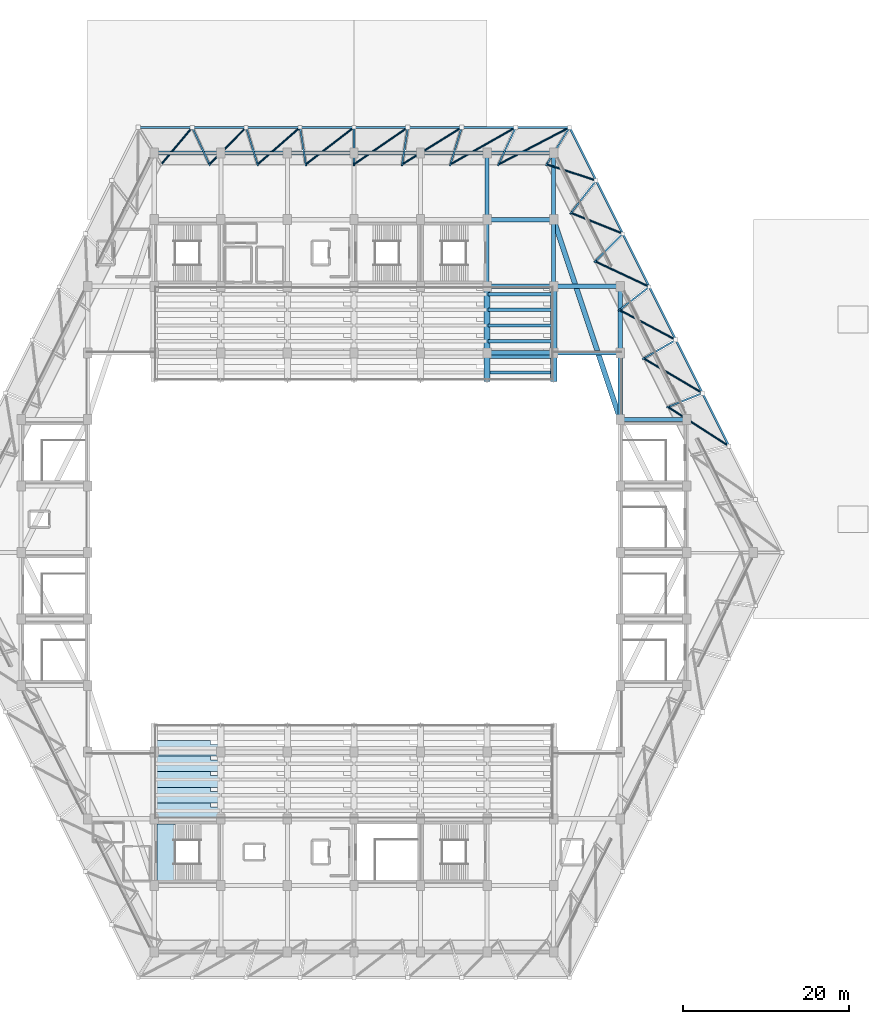
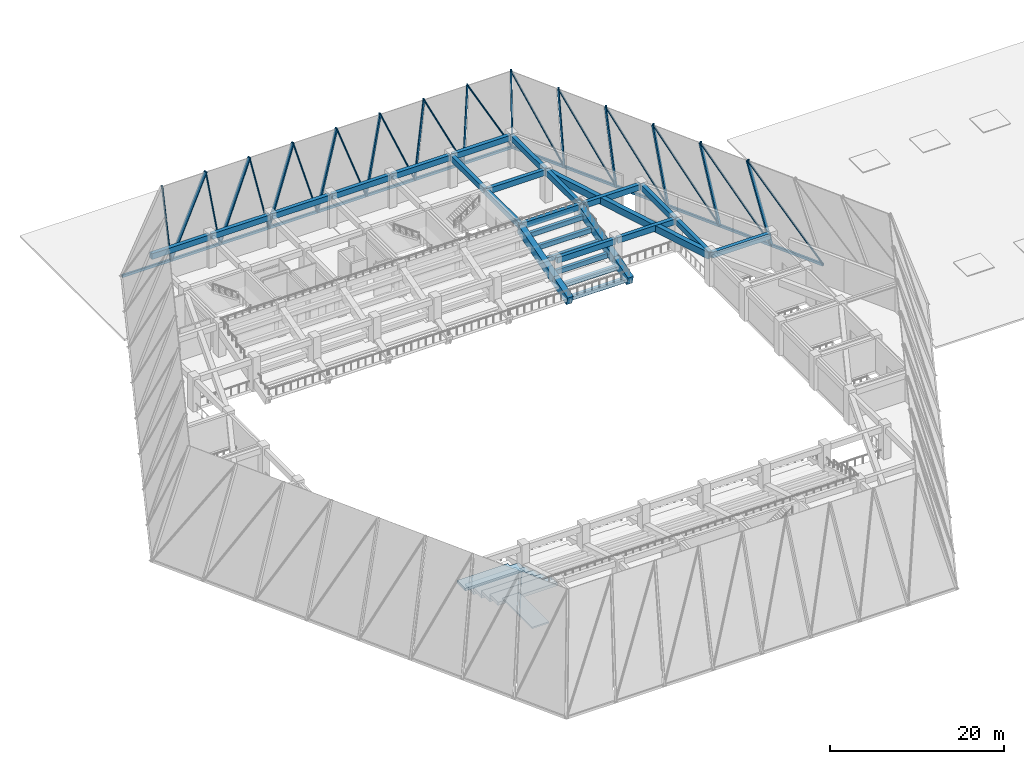
# One storey, part 4 of 24: 41 members, 29 beams, 6 slabs, 1 element without a shape of its own.
"""IFC4 building model written with IfcOpenShell, lengths in metres."""

from ifc_helpers import new_model, si_unit, direction, frame, origin, origin_2d, place, context, subcontext, project, spatial, polyline, rectangle, hollow_rectangle, hollow_circle, outline, extrude, material, layer, layer_set, material_profile, profile_set, type_object, element, aggregate, save


model = new_model("IFC4")

# Units and contexts
model_context = context("Model", 3, precision=1e-05, world=origin(), true_north=direction((0.0, 1.0)))
body_context = subcontext(model_context, "Body", "Model", "MODEL_VIEW")
ifc_project = project(units=[si_unit("LENGTHUNIT", "METRE"), si_unit("AREAUNIT", "SQUARE_METRE"), si_unit("VOLUMEUNIT", "CUBIC_METRE"), si_unit("PLANEANGLEUNIT", "RADIAN"), si_unit("MASSUNIT", "GRAM", prefix="KILO")], contexts=[model_context])

# Site, building, storey
site_placement = place(None, origin())
site = spatial("IfcSite", under=ifc_project, at=site_placement, CompositionType="ELEMENT")
building_placement = place(site_placement, origin())
building = spatial("IfcBuilding", under=site, at=building_placement, Name="Tazarka Park Arena", CompositionType="ELEMENT")
storey_placement = place(building_placement, frame((0.0, 0.0, 15.0)))
storey = spatial("IfcBuildingStorey", under=building, at=storey_placement, Name="L03", CompositionType="ELEMENT", Elevation=15.0)

# Beams
ifc_material_1 = material(Name="Concrete C40/50", Category="concrete")
ifc_material_profile_1 = material_profile(ifc_material_1, rectangle(XDim=0.5, YDim=0.800048828125, at=origin_2d()), Name="Concrete C40/50")
ifc_profile_set_1 = profile_set([ifc_material_profile_1], Name="Concrete C40/50")
beam_type_1 = type_object("IfcBeamType", Name="BM-B-02", PredefinedType="BEAM", material=ifc_profile_set_1)
for number, where, z_axis, x_axis, name in (
    (1, (104.1201171875, 96.0, 4.02001953125), (1.0, 0.0, 0.0), (0.0, 1.0, 0.0), "GXM-L03-13-12"),
    (2, (104.0, 96.1201171875, 4.02001953125), (0.0, 1.0, 0.0), (-1.0, 0.0, 0.0), "GYM-L03-13-12"),
    (3, (104.1201171875, 104.0, 4.02001953125), (1.0, 0.0, 0.0), (0.0, 1.0, 0.0), "GXM-L03-13-13"),
    (4, (104.0, 104.1201171875, 4.02001953125), (0.0, 1.0, 0.0), (-1.0, 0.0, 0.0), "GYM-L03-13-13"),
    (5, (112.1201171875, 96.0, 4.02001953125), (1.0, 0.0, 0.0), (0.0, 1.0, 0.0), "GXM-L03-14-12"),
    (6, (112.0, 96.1201171875, 4.02001953125), (0.0, 1.0, 0.0), (-1.0, 0.0, 0.0), "GYM-L03-14-12"),
    (7, (120.1201171875, 80.0, 4.02001953125), (1.0, 0.0, 0.0), (0.0, 1.0, 0.0), "GXM-L03-15-10"),
):
    element("IfcBeam", number, at=place(storey_placement, frame(where, z_axis=z_axis, x_axis=x_axis)), inside=storey, type_object=beam_type_1, Name=name, PredefinedType="BEAM", context=body_context, shape_type="SweptSolid", body=[
        extrude(rectangle(XDim=0.5, YDim=0.800048828125, at=origin_2d()), origin(), (0.0, 0.0, 1.0), 7.759765625),
    ])
ifc_material_2 = material(Name="Precast concrete C40/50", Category="concrete")
ifc_material_profile_2 = material_profile(ifc_material_2, rectangle(XDim=0.75, YDim=1.199951171875, at=origin_2d()), Name="Precast concrete C40/50")
ifc_profile_set_2 = profile_set([ifc_material_profile_2], Name="Precast concrete C40/50")
beam_type_2 = type_object("IfcBeamType", Name="BM-RK-02", PredefinedType="BEAM", material=ifc_profile_set_2)
beam_1_placement = place(storey_placement, frame((104.0, 88.0, 1.300048828125), z_axis=(0.0, 0.959465685015, 0.281825476632), x_axis=(-1.0, 0.0, 0.0)))
element("IfcBeam", 8, at=beam_1_placement, inside=storey, type_object=beam_type_2, Name="RAKER RK-02-13B", PredefinedType="BEAM", context=body_context, shape_type="SweptSolid", body=[
    extrude(rectangle(XDim=0.75, YDim=1.199951171875, at=origin_2d()), origin(), (0.0, 0.0, 1.0), 8.337890625),
])
beam_2_placement = place(storey_placement, frame((104.0, 84.699951171875, 0.33056640625), z_axis=(0.0, 0.959453616174, 0.281866561354), x_axis=(-1.0, 0.0, 0.0)))
element("IfcBeam", 9, at=beam_2_placement, inside=storey, type_object=beam_type_2, Name="RAKER RK-02-13C", PredefinedType="BEAM", context=body_context, shape_type="SweptSolid", body=[
    extrude(rectangle(XDim=0.75, YDim=1.199951171875, at=origin_2d()), origin(), (0.0, 0.0, 1.0), 3.439453125),
])
beam_3_placement = place(storey_placement, frame((112.0, 88.0, 1.300048828125), z_axis=(0.0, 0.959465685015, 0.281825476632), x_axis=(-1.0, 0.0, 0.0)))
element("IfcBeam", 10, at=beam_3_placement, inside=storey, type_object=beam_type_2, Name="RAKER RK-02-14B", PredefinedType="BEAM", context=body_context, shape_type="SweptSolid", body=[
    extrude(rectangle(XDim=0.75, YDim=1.199951171875, at=origin_2d()), origin(), (0.0, 0.0, 1.0), 8.337890625),
])
beam_4_placement = place(storey_placement, frame((112.0, 84.699951171875, 0.33056640625), z_axis=(0.0, 0.959453616174, 0.281866561354), x_axis=(-1.0, 0.0, 0.0)))
element("IfcBeam", 11, at=beam_4_placement, inside=storey, type_object=beam_type_2, Name="RAKER RK-02-14C", PredefinedType="BEAM", context=body_context, shape_type="SweptSolid", body=[
    extrude(rectangle(XDim=0.75, YDim=1.199951171875, at=origin_2d()), origin(), (0.0, 0.0, 1.0), 3.439453125),
])
ifc_material_3 = material(Name="Concrete C40/50", Category="concrete")
ifc_material_profile_3 = material_profile(ifc_material_3, rectangle(XDim=0.5, YDim=0.800048828125, at=origin_2d()), Name="Concrete C40/50")
ifc_profile_set_3 = profile_set([ifc_material_profile_3], Name="Concrete C40/50")
beam_type_3 = type_object("IfcBeamType", Name="BM-SP-01", PredefinedType="SPANDREL", material=ifc_profile_set_3)
for number, where, z_axis, x_axis, name in (
    (12, (64.1201171875, 112.0, 4.02001953125), (1.0, 0.0, 0.0), (0.0, 1.0, 0.0), "GXM-L03-08-14"),
    (13, (72.1201171875, 112.0, 4.02001953125), (1.0, 0.0, 0.0), (0.0, 1.0, 0.0), "GXM-L03-09-14"),
    (14, (80.1201171875, 112.0, 4.02001953125), (1.0, 0.0, 0.0), (0.0, 1.0, 0.0), "GXM-L03-10-14"),
    (15, (88.1201171875, 112.0, 4.02001953125), (1.0, 0.0, 0.0), (0.0, 1.0, 0.0), "GXM-L03-11-14"),
    (16, (96.1201171875, 112.0, 4.02001953125), (1.0, 0.0, 0.0), (0.0, 1.0, 0.0), "GXM-L03-12-14"),
    (17, (104.1201171875, 88.0, 4.02001953125), (1.0, 0.0, 0.0), (0.0, 1.0, 0.0), "GXM-L03-13-11"),
    (18, (104.1201171875, 112.0, 4.02001953125), (1.0, 0.0, 0.0), (0.0, 1.0, 0.0), "GXM-L03-13-14"),
    (19, (112.1201171875, 88.0, 4.02001953125), (1.0, 0.0, 0.0), (0.0, 1.0, 0.0), "GXM-L03-14-11"),
    (20, (112.0, 104.1201171875, 4.02001953125), (0.0, 1.0, 0.0), (-1.0, 0.0, 0.0), "GYM-L03-14-13"),
    (21, (120.0, 80.1201171875, 4.02001953125), (0.0, 1.0, 0.0), (-1.0, 0.0, 0.0), "GYM-L03-15-10"),
    (22, (120.0, 88.1201171875, 4.02001953125), (0.0, 1.0, 0.0), (-1.0, 0.0, 0.0), "GYM-L03-15-11"),
):
    element("IfcBeam", number, at=place(storey_placement, frame(where, z_axis=z_axis, x_axis=x_axis)), inside=storey, type_object=beam_type_3, Name=name, PredefinedType="SPANDREL", context=body_context, shape_type="SweptSolid", body=[
        extrude(rectangle(XDim=0.5, YDim=0.800048828125, at=origin_2d()), origin(), (0.0, 0.0, 1.0), 7.759765625),
    ])
ifc_material_4 = material(Name="Concrete C40/50", Category="concrete")
ifc_material_profile_4 = material_profile(ifc_material_4, rectangle(XDim=0.60009765625, YDim=0.949951171875, at=origin_2d()), Name="Concrete C40/50")
ifc_profile_set_4 = profile_set([ifc_material_profile_4], Name="Concrete C40/50")
beam_type_4 = type_object("IfcBeamType", Name="BM-SP-03", PredefinedType="SPANDREL", material=ifc_profile_set_4)
beam_5_placement = place(storey_placement, frame((119.962158203125, 80.11376953125, 3.945068359375), z_axis=(-0.316233611724, 0.948681349461, 0.0), x_axis=(-0.948681349461, -0.316233611724, 0.0)))
element("IfcBeam", 23, at=beam_5_placement, inside=storey, type_object=beam_type_4, Name="RING BEAM SP-03-L03-10", PredefinedType="SPANDREL", context=body_context, shape_type="SweptSolid", body=[
    extrude(rectangle(XDim=0.60009765625, YDim=0.949951171875, at=origin_2d()), origin(), (0.0, 0.0, 1.0), 25.058349609375),
])
ifc_material_5 = material(Name="Precast concrete C40/50", Category="concrete")
ifc_material_profile_5 = material_profile(ifc_material_5, rectangle(XDim=0.39990234375, YDim=0.64990234375, at=origin_2d()), Name="Precast concrete C40/50")
ifc_profile_set_5 = profile_set([ifc_material_profile_5], Name="Precast concrete C40/50")
beam_type_5 = type_object("IfcBeamType", Name="BM-TB-01", PredefinedType="BEAM", material=ifc_profile_set_5)
for number, where, z_axis, x_axis, name in (
    (24, (104.10009765625, 85.639892578125, -0.02490234375), (1.0, 0.0, 0.0), (0.0, 1.0, 0.0), "UTB-N-13-1"),
    (25, (104.10009765625, 87.52001953125, 0.60498046875), (1.0, 0.0, 0.0), (0.0, 1.0, 0.0), "UTB-N-13-2"),
    (26, (104.10009765625, 89.39990234375, 1.235107421875), (1.0, 0.0, 0.0), (0.0, 1.0, 0.0), "UTB-N-13-3"),
    (27, (104.10009765625, 91.280029296875, 1.864990234375), (1.0, 0.0, 0.0), (0.0, 1.0, 0.0), "UTB-N-13-4"),
    (28, (104.10009765625, 93.159912109375, 2.4951171875), (1.0, 0.0, 0.0), (0.0, 1.0, 0.0), "UTB-N-13-5"),
    (29, (104.10009765625, 95.0400390625, 3.135009765625), (1.0, 0.0, 0.0), (0.0, 1.0, 0.0), "UTB-N-13-6"),
):
    element("IfcBeam", number, at=place(storey_placement, frame(where, z_axis=z_axis, x_axis=x_axis)), inside=storey, type_object=beam_type_5, Name=name, PredefinedType="BEAM", context=body_context, shape_type="SweptSolid", body=[
        extrude(rectangle(XDim=0.39990234375, YDim=0.64990234375, at=origin_2d()), origin(), (0.0, 0.0, 1.0), 7.7998046875),
    ])

# Members
ifc_material_6 = material(Name="Steel S355", Category="steel")
ifc_material_profile_6 = material_profile(ifc_material_6, hollow_circle(Radius=0.122314453125, WallThickness=0.012451171875, at=origin_2d()), Name="Steel S355")
ifc_profile_set_6 = profile_set([ifc_material_profile_6], Name="Steel S355")
member_type_1 = type_object("IfcMemberType", Name="MEM-BR-05", PredefinedType="BRACE", material=ifc_profile_set_6)
member_1_placement = place(storey_placement, frame((133.078369140625, 76.77490234375, 0.0), z_axis=(-0.436184893003, 0.280541441766, 0.855008326607), x_axis=(-0.540944316024, -0.841058408769, 0.0)))
element("IfcMember", 30, at=member_1_placement, inside=storey, type_object=member_type_1, Name="FSD-18", PredefinedType="BRACE", context=body_context, shape_type="SweptSolid", body=[
    extrude(hollow_circle(Radius=0.122314453125, WallThickness=0.012451171875, at=origin_2d()), origin(), (0.0, 0.0, 1.0), 16.818359375),
])
member_2_placement = place(storey_placement, frame((129.884521484375, 83.16259765625, 0.0), z_axis=(-0.426436225407, 0.251453988456, 0.868863071692), x_axis=(-0.507933999335, -0.861395990425, 0.0)))
element("IfcMember", 31, at=member_2_placement, inside=storey, type_object=member_type_1, Name="FSD-19", PredefinedType="BRACE", context=body_context, shape_type="SweptSolid", body=[
    extrude(hollow_circle(Radius=0.122314453125, WallThickness=0.012451171875, at=origin_2d()), origin(), (0.0, 0.0, 1.0), 16.55029296875),
])
member_3_placement = place(storey_placement, frame((126.69091796875, 89.550048828125, 0.0), z_axis=(-0.415881588035, 0.221172505027, 0.882114067314), x_axis=(-0.469544950553, -0.882908567979, 0.0)))
element("IfcMember", 32, at=member_3_placement, inside=storey, type_object=member_type_1, Name="FSD-20", PredefinedType="BRACE", context=body_context, shape_type="SweptSolid", body=[
    extrude(hollow_circle(Radius=0.122314453125, WallThickness=0.012451171875, at=origin_2d()), origin(), (0.0, 0.0, 1.0), 16.301513671875),
])
member_4_placement = place(storey_placement, frame((123.497314453125, 95.9375, 0.0), z_axis=(-0.404491665334, 0.18969945206, 0.894651111084), x_axis=(-0.424606337726, -0.905378074598, 0.0)))
element("IfcMember", 33, at=member_4_placement, inside=storey, type_object=member_type_1, Name="FSD-21", PredefinedType="BRACE", context=body_context, shape_type="SweptSolid", body=[
    extrude(hollow_circle(Radius=0.122314453125, WallThickness=0.012451171875, at=origin_2d()), origin(), (0.0, 0.0, 1.0), 16.0732421875),
])
member_5_placement = place(storey_placement, frame((120.303466796875, 102.324951171875, 0.0), z_axis=(-0.39223862616, 0.157095493702, 0.906349748169), x_axis=(-0.371798781375, -0.928313344818, 0.0)))
element("IfcMember", 34, at=member_5_placement, inside=storey, type_object=member_type_1, Name="FSD-22", PredefinedType="BRACE", context=body_context, shape_type="SweptSolid", body=[
    extrude(hollow_circle(Radius=0.122314453125, WallThickness=0.012451171875, at=origin_2d()), origin(), (0.0, 0.0, 1.0), 15.86572265625),
])
member_6_placement = place(storey_placement, frame((117.109619140625, 108.71240234375, 0.0), z_axis=(-0.379127457306, 0.123485004677, 0.917068058945), x_axis=(-0.309695248119, -0.950835870849, 0.0)))
element("IfcMember", 35, at=member_6_placement, inside=storey, type_object=member_type_1, Name="FSD-23", PredefinedType="BRACE", context=body_context, shape_type="SweptSolid", body=[
    extrude(hollow_circle(Radius=0.122314453125, WallThickness=0.012451171875, at=origin_2d()), origin(), (0.0, 0.0, 1.0), 15.68017578125),
])
member_7_placement = place(storey_placement, frame((113.916015625, 115.10009765625, 0.0), z_axis=(-0.493554092503, -0.257186961092, 0.830818406643), x_axis=(0.462114670895, -0.886820179599, 0.0)))
element("IfcMember", 36, at=member_7_placement, inside=storey, type_object=member_type_1, Name="FSD-24", PredefinedType="BRACE", context=body_context, shape_type="SweptSolid", body=[
    extrude(hollow_circle(Radius=0.122314453125, WallThickness=0.012451171875, at=origin_2d()), origin(), (0.0, 0.0, 1.0), 17.30810546875),
])
member_8_placement = place(storey_placement, frame((107.43701171875, 115.10009765625, 0.0), z_axis=(-0.462598200779, -0.262170614037, 0.846917631043), x_axis=(0.493057603489, -0.869996666454, 0.0)))
element("IfcMember", 37, at=member_8_placement, inside=storey, type_object=member_type_1, Name="FSD-25", PredefinedType="BRACE", context=body_context, shape_type="SweptSolid", body=[
    extrude(hollow_circle(Radius=0.122314453125, WallThickness=0.012451171875, at=origin_2d()), origin(), (0.0, 0.0, 1.0), 16.97900390625),
])
member_9_placement = place(storey_placement, frame((100.9580078125, 115.10009765625, 0.0), z_axis=(-0.429865138633, -0.266998162926, 0.862512575898), x_axis=(0.527627203214, -0.849476035229, 0.0)))
element("IfcMember", 38, at=member_9_placement, inside=storey, type_object=member_type_1, Name="FSD-26", PredefinedType="BRACE", context=body_context, shape_type="SweptSolid", body=[
    extrude(hollow_circle(Radius=0.122314453125, WallThickness=0.012451171875, at=origin_2d()), origin(), (0.0, 0.0, 1.0), 16.672119140625),
])
member_10_placement = place(storey_placement, frame((94.47900390625, 115.10009765625, 0.0), z_axis=(-0.395345282227, -0.271622975765, 0.877452600918), x_axis=(0.56627835651, -0.824214063789, 0.0)))
element("IfcMember", 39, at=member_10_placement, inside=storey, type_object=member_type_1, Name="FSD-27", PredefinedType="BRACE", context=body_context, shape_type="SweptSolid", body=[
    extrude(hollow_circle(Radius=0.122314453125, WallThickness=0.012451171875, at=origin_2d()), origin(), (0.0, 0.0, 1.0), 16.38818359375),
])
member_11_placement = place(storey_placement, frame((88.0, 115.10009765625, 0.0), z_axis=(-0.359065598682, -0.275993552581, 0.891571340262), x_axis=(0.609418353252, -0.792848832199, 0.0)))
element("IfcMember", 40, at=member_11_placement, inside=storey, type_object=member_type_1, Name="FSD-28", PredefinedType="BRACE", context=body_context, shape_type="SweptSolid", body=[
    extrude(hollow_circle(Radius=0.122314453125, WallThickness=0.012451171875, at=origin_2d()), origin(), (0.0, 0.0, 1.0), 16.128662109375),
])
member_12_placement = place(storey_placement, frame((81.52099609375, 115.10009765625, 0.0), z_axis=(-0.321082523996, -0.280056336587, 0.904695783743), x_axis=(0.657319530191, -0.753611992493, 0.0)))
element("IfcMember", 41, at=member_12_placement, inside=storey, type_object=member_type_1, Name="FSD-29", PredefinedType="BRACE", context=body_context, shape_type="SweptSolid", body=[
    extrude(hollow_circle(Radius=0.122314453125, WallThickness=0.012451171875, at=origin_2d()), origin(), (0.0, 0.0, 1.0), 15.894775390625),
])
member_13_placement = place(storey_placement, frame((75.0419921875, 115.10009765625, 0.0), z_axis=(-0.281470532125, -0.283758277797, 0.916654558341), x_axis=(0.709962958162, -0.70423902053, 0.0)))
element("IfcMember", 42, at=member_13_placement, inside=storey, type_object=member_type_1, Name="FSD-30", PredefinedType="BRACE", context=body_context, shape_type="SweptSolid", body=[
    extrude(hollow_circle(Radius=0.122314453125, WallThickness=0.012451171875, at=origin_2d()), origin(), (0.0, 0.0, 1.0), 15.687255859375),
])
member_14_placement = place(storey_placement, frame((68.56298828125, 115.10009765625, 0.0), z_axis=(-0.240380855767, -0.287043299705, 0.927266514156), x_axis=(0.766671509979, -0.642039559363, 0.0)))
element("IfcMember", 43, at=member_14_placement, inside=storey, type_object=member_type_1, Name="FSD-31", PredefinedType="BRACE", context=body_context, shape_type="SweptSolid", body=[
    extrude(hollow_circle(Radius=0.122314453125, WallThickness=0.012451171875, at=origin_2d()), origin(), (0.0, 0.0, 1.0), 15.5078125),
])
ifc_material_7 = material(Name="Steel S460", Category="steel")
ifc_material_profile_7 = material_profile(ifc_material_7, hollow_rectangle(XDim=0.199951171875, YDim=0.39990234375, WallThickness=0.01611328125, at=origin_2d()), Name="Steel S460")
ifc_profile_set_7 = profile_set([ifc_material_profile_7], Name="Steel S460")
member_type_2 = type_object("IfcMemberType", Name="MEM-SR-03", PredefinedType="STRUT", material=ifc_profile_set_7)
member_15_placement = place(storey_placement, frame((129.884521484375, 83.16259765625, 0.0), z_axis=(-0.275086869246, -0.11087139054, 0.955005104242), x_axis=(0.373821195148, -0.927500789249, 0.0)))
element("IfcMember", 44, at=member_15_placement, inside=storey, type_object=member_type_2, Name="FSU-19", PredefinedType="STRUT", context=body_context, shape_type="SweptSolid", body=[
    extrude(hollow_rectangle(XDim=0.199951171875, YDim=0.39990234375, WallThickness=0.01611328125, at=origin_2d()), origin(), (0.0, 0.0, 1.0), 15.057373046875),
])
member_16_placement = place(storey_placement, frame((126.69091796875, 89.550048828125, 0.0), z_axis=(-0.256652507162, -0.14784235217, 0.955129378394), x_axis=(0.499148844122, -0.866516261481, 0.0)))
element("IfcMember", 45, at=member_16_placement, inside=storey, type_object=member_type_2, Name="FSU-20", PredefinedType="STRUT", context=body_context, shape_type="SweptSolid", body=[
    extrude(hollow_rectangle(XDim=0.199951171875, YDim=0.39990234375, WallThickness=0.01611328125, at=origin_2d()), origin(), (0.0, 0.0, 1.0), 15.055419921875),
])
member_17_placement = place(storey_placement, frame((123.497314453125, 95.9375, 0.0), z_axis=(-0.23780837995, -0.184492544222, 0.953629737137), x_axis=(0.61296815481, -0.790107613676, 0.0)))
element("IfcMember", 46, at=member_17_placement, inside=storey, type_object=member_type_2, Name="FSU-21", PredefinedType="STRUT", context=body_context, shape_type="SweptSolid", body=[
    extrude(hollow_rectangle(XDim=0.199951171875, YDim=0.39990234375, WallThickness=0.01611328125, at=origin_2d()), origin(), (0.0, 0.0, 1.0), 15.0791015625),
])
member_18_placement = place(storey_placement, frame((120.303466796875, 102.324951171875, 0.0), z_axis=(-0.218637409171, -0.220670795173, 0.950527266031), x_axis=(0.710372092675, -0.703826320869, 0.0)))
element("IfcMember", 47, at=member_18_placement, inside=storey, type_object=member_type_2, Name="FSU-22", PredefinedType="STRUT", context=body_context, shape_type="SweptSolid", body=[
    extrude(hollow_rectangle(XDim=0.199951171875, YDim=0.39990234375, WallThickness=0.01611328125, at=origin_2d()), origin(), (0.0, 0.0, 1.0), 15.12841796875),
])
member_19_placement = place(storey_placement, frame((117.109619140625, 108.71240234375, 0.0), z_axis=(-0.19925753849, -0.256202028454, 0.945863073585), x_axis=(0.789368202232, -0.613920061006, 0.0)))
element("IfcMember", 48, at=member_19_placement, inside=storey, type_object=member_type_2, Name="FSU-23", PredefinedType="STRUT", context=body_context, shape_type="SweptSolid", body=[
    extrude(hollow_rectangle(XDim=0.199951171875, YDim=0.39990234375, WallThickness=0.01611328125, at=origin_2d()), origin(), (0.0, 0.0, 1.0), 15.202880859375),
])
member_20_placement = place(storey_placement, frame((113.916015625, 115.10009765625, 0.0), z_axis=(-0.179789413355, -0.29089540986, 0.939710395477), x_axis=(0.85064274872, -0.525744152653, 0.0)))
element("IfcMember", 49, at=member_20_placement, inside=storey, type_object=member_type_2, Name="FSU-24", PredefinedType="STRUT", context=body_context, shape_type="SweptSolid", body=[
    extrude(hollow_rectangle(XDim=0.199951171875, YDim=0.39990234375, WallThickness=0.01611328125, at=origin_2d()), origin(), (0.0, 0.0, 1.0), 15.302490234375),
])
member_21_placement = place(storey_placement, frame((107.43701171875, 115.10009765625, 0.0), z_axis=(-0.135809694664, -0.29297422655, 0.94642581823), x_axis=(0.907261986426, -0.420565913962, 0.0)))
element("IfcMember", 50, at=member_21_placement, inside=storey, type_object=member_type_2, Name="FSU-25", PredefinedType="STRUT", context=body_context, shape_type="SweptSolid", body=[
    extrude(hollow_rectangle(XDim=0.199951171875, YDim=0.39990234375, WallThickness=0.01611328125, at=origin_2d()), origin(), (0.0, 0.0, 1.0), 15.19384765625),
])
member_22_placement = place(storey_placement, frame((100.9580078125, 115.10009765625, 0.0), z_axis=(-0.090996586121, -0.294487176915, 0.951313262783), x_axis=(0.955427098876, -0.295227130756, 0.0)))
element("IfcMember", 51, at=member_22_placement, inside=storey, type_object=member_type_2, Name="FSU-26", PredefinedType="STRUT", context=body_context, shape_type="SweptSolid", body=[
    extrude(hollow_rectangle(XDim=0.199951171875, YDim=0.39990234375, WallThickness=0.01611328125, at=origin_2d()), origin(), (0.0, 0.0, 1.0), 15.11572265625),
])
member_23_placement = place(storey_placement, frame((94.47900390625, 115.10009765625, 0.0), z_axis=(-0.045640233181, -0.295405882708, 0.954281055862), x_axis=(0.988274370139, -0.15268847149, 0.0)))
element("IfcMember", 52, at=member_23_placement, inside=storey, type_object=member_type_2, Name="FSU-27", PredefinedType="STRUT", context=body_context, shape_type="SweptSolid", body=[
    extrude(hollow_rectangle(XDim=0.199951171875, YDim=0.39990234375, WallThickness=0.01611328125, at=origin_2d()), origin(), (0.0, 0.0, 1.0), 15.06884765625),
])
member_24_placement = place(storey_placement, frame((88.0, 115.10009765625, 0.0), z_axis=(0.0, -0.295714033997, 0.955276509759), x_axis=(1.0, 0.0, 0.0)))
element("IfcMember", 53, at=member_24_placement, inside=storey, type_object=member_type_2, Name="FSU-28", PredefinedType="STRUT", context=body_context, shape_type="SweptSolid", body=[
    extrude(hollow_rectangle(XDim=0.199951171875, YDim=0.39990234375, WallThickness=0.01611328125, at=origin_2d()), origin(), (0.0, 0.0, 1.0), 15.05322265625),
])
member_25_placement = place(storey_placement, frame((81.52099609375, 115.10009765625, 0.0), z_axis=(0.045640233181, -0.295405882708, 0.954281055862), x_axis=(0.988274370139, 0.15268847149, 0.0)))
element("IfcMember", 54, at=member_25_placement, inside=storey, type_object=member_type_2, Name="FSU-29", PredefinedType="STRUT", context=body_context, shape_type="SweptSolid", body=[
    extrude(hollow_rectangle(XDim=0.199951171875, YDim=0.39990234375, WallThickness=0.01611328125, at=origin_2d()), origin(), (0.0, 0.0, 1.0), 15.06884765625),
])
member_26_placement = place(storey_placement, frame((75.0419921875, 115.10009765625, 0.0), z_axis=(0.090996586121, -0.294487176915, 0.951313262783), x_axis=(0.955427098876, 0.295227130756, 0.0)))
element("IfcMember", 55, at=member_26_placement, inside=storey, type_object=member_type_2, Name="FSU-30", PredefinedType="STRUT", context=body_context, shape_type="SweptSolid", body=[
    extrude(hollow_rectangle(XDim=0.199951171875, YDim=0.39990234375, WallThickness=0.01611328125, at=origin_2d()), origin(), (0.0, 0.0, 1.0), 15.11572265625),
])
member_27_placement = place(storey_placement, frame((68.56298828125, 115.10009765625, 0.0), z_axis=(0.135809694664, -0.29297422655, 0.94642581823), x_axis=(0.907261986426, 0.420565913962, 0.0)))
element("IfcMember", 56, at=member_27_placement, inside=storey, type_object=member_type_2, Name="FSU-31", PredefinedType="STRUT", context=body_context, shape_type="SweptSolid", body=[
    extrude(hollow_rectangle(XDim=0.199951171875, YDim=0.39990234375, WallThickness=0.01611328125, at=origin_2d()), origin(), (0.0, 0.0, 1.0), 15.19384765625),
])
ifc_material_8 = material(Name="Steel S460", Category="steel")
ifc_material_profile_8 = material_profile(ifc_material_8, hollow_rectangle(XDim=0.25, YDim=0.35009765625, WallThickness=0.012451171875, at=origin_2d()), Name="Steel S460")
ifc_profile_set_8 = profile_set([ifc_material_profile_8], Name="Steel S460")
member_type_3 = type_object("IfcMemberType", Name="MEM-SR-04", PredefinedType="STRUT", material=ifc_profile_set_8)
member_28_placement = place(storey_placement, frame((133.078369140625, 76.77490234375, 0.0), z_axis=(-0.4472135955, 0.894427191, 0.0), x_axis=(-0.894427191, -0.4472135955, 0.0)))
element("IfcMember", 57, at=member_28_placement, inside=storey, type_object=member_type_3, Name="GMW-18", PredefinedType="STRUT", context=body_context, shape_type="SweptSolid", body=[
    extrude(hollow_rectangle(XDim=0.25, YDim=0.35009765625, WallThickness=0.012451171875, at=origin_2d()), origin(), (0.0, 0.0, 1.0), 7.1416015625),
])
for number, where, z_axis, x_axis, name in (
    (58, (129.884521484375, 83.16259765625, 0.0), (-0.447199920655, 0.894434028292, 0.0), (-0.894434028292, -0.447199920655, 0.0), "GMW-19"),
    (59, (126.69091796875, 89.550048828125, 0.0), (-0.447199920655, 0.894434028292, 0.0), (-0.894434028292, -0.447199920655, 0.0), "GMW-20"),
    (60, (123.497314453125, 95.9375, 0.0), (-0.447227270032, 0.894420353603, 0.0), (-0.894420353603, -0.447227270032, 0.0), "GMW-21"),
    (61, (120.303466796875, 102.324951171875, 0.0), (-0.447227270032, 0.894420353603, 0.0), (-0.894420353603, -0.447227270032, 0.0), "GMW-22"),
):
    element("IfcMember", number, at=place(storey_placement, frame(where, z_axis=z_axis, x_axis=x_axis)), inside=storey, type_object=member_type_3, Name=name, PredefinedType="STRUT", context=body_context, shape_type="SweptSolid", body=[
        extrude(hollow_rectangle(XDim=0.25, YDim=0.35009765625, WallThickness=0.012451171875, at=origin_2d()), origin(), (0.0, 0.0, 1.0), 7.141357421875),
    ])
member_29_placement = place(storey_placement, frame((117.109619140625, 108.71240234375, 0.0), z_axis=(-0.447186246541, 0.894440864957, 0.0), x_axis=(-0.894440864957, -0.447186246541, 0.0)))
element("IfcMember", 62, at=member_29_placement, inside=storey, type_object=member_type_3, Name="GMW-23", PredefinedType="STRUT", context=body_context, shape_type="SweptSolid", body=[
    extrude(hollow_rectangle(XDim=0.25, YDim=0.35009765625, WallThickness=0.012451171875, at=origin_2d()), origin(), (0.0, 0.0, 1.0), 7.1416015625),
])
for number, where, z_axis, x_axis, name in (
    (63, (113.916015625, 115.10009765625, 0.0), (-1.0, 0.0, 0.0), (0.0, -1.0, 0.0), "GMW-24"),
    (64, (107.43701171875, 115.10009765625, 0.0), (-1.0, 0.0, 0.0), (0.0, -1.0, 0.0), "GMW-25"),
    (65, (100.9580078125, 115.10009765625, 0.0), (-1.0, 0.0, 0.0), (0.0, -1.0, 0.0), "GMW-26"),
    (66, (94.47900390625, 115.10009765625, 0.0), (-1.0, 0.0, 0.0), (0.0, -1.0, 0.0), "GMW-27"),
    (67, (88.0, 115.10009765625, 0.0), (-1.0, 0.0, 0.0), (0.0, -1.0, 0.0), "GMW-28"),
    (68, (81.52099609375, 115.10009765625, 0.0), (-1.0, 0.0, 0.0), (0.0, -1.0, 0.0), "GMW-29"),
    (69, (75.0419921875, 115.10009765625, 0.0), (-1.0, 0.0, 0.0), (0.0, -1.0, 0.0), "GMW-30"),
    (70, (68.56298828125, 115.10009765625, 0.0), (-1.0, 0.0, 0.0), (0.0, -1.0, 0.0), "GMW-31"),
):
    element("IfcMember", number, at=place(storey_placement, frame(where, z_axis=z_axis, x_axis=x_axis)), inside=storey, type_object=member_type_3, Name=name, PredefinedType="STRUT", context=body_context, shape_type="SweptSolid", body=[
        extrude(hollow_rectangle(XDim=0.25, YDim=0.35009765625, WallThickness=0.012451171875, at=origin_2d()), origin(), (0.0, 0.0, 1.0), 6.47900390625),
    ])

# Stair, slab
ifc_material_9 = material(Name="Precast concrete C40/50", Category="concrete")
stair_type = type_object("IfcStairType", Name="STR-2400", PredefinedType="HALF_TURN_STAIR", material=ifc_material_9)
stair_placement = place(storey_placement, origin())
stair = element("IfcStair", 71, at=stair_placement, inside=storey, type_object=stair_type, Name="Stair ST09 L03", PredefinedType="HALF_TURN_STAIR")
ifc_material_10 = material(Name="Precast concrete C40/50", Category="concrete")
ifc_layer_1 = layer(ifc_material_10, 0.219970703125, Name="Precast concrete C40/50")
ifc_layer_set_1 = layer_set([ifc_layer_1], Name="Precast concrete C40/50")
slab_type_1 = type_object("IfcSlabType", Name="LND-02", PredefinedType="LANDING", material=ifc_layer_set_1)
slab_1_placement = place(storey_placement, frame((0.0, 0.0, 4.580078125)))
slab_1 = element("IfcSlab", 72, at=slab_1_placement, type_object=slab_type_1, Name="ST09-L03 landing 2", PredefinedType="LANDING", context=body_context, shape_type="SweptSolid", body=[
    extrude(outline(polyline([(64.31005859375, 24.610107421875), (66.534912109375, 24.610107421875), (66.534912109375, 31.389892578125), (64.31005859375, 31.389892578125), (64.31005859375, 24.610107421875)])), origin(), (0.0, 0.0, 1.0), 0.219970703125),
])
aggregate(stair, [slab_1])

# Slabs
ifc_material_11 = material(Name="Precast concrete C40/50", Category="concrete")
ifc_layer_2 = layer(ifc_material_11, 0.3701171875, Name="Precast concrete C40/50")
ifc_layer_set_2 = layer_set([ifc_layer_2], Name="Precast concrete C40/50")
slab_type_2 = type_object("IfcSlabType", Name="SLB-TR-02", PredefinedType="USERDEFINED", material=ifc_layer_set_2)
slab_2_placement = place(storey_placement, frame((0.0, 0.0, 0.929931640625)))
element("IfcSlab", 73, at=slab_2_placement, inside=storey, type_object=slab_type_2, Name="Stand Upper Tier S08-2", ObjectType="SEATING TIER", PredefinedType="USERDEFINED", context=body_context, shape_type="SweptSolid", body=[
    extrude(outline(polyline([(64.0400390625, 39.5400390625), (71.9599609375, 39.5400390625), (71.9599609375, 40.93994140625), (70.75, 40.93994140625), (70.75, 41.419921875), (64.0400390625, 41.419921875), (64.0400390625, 39.5400390625)])), origin(), (0.0, 0.0, 1.0), 0.3701171875),
])
ifc_material_12 = material(Name="Precast concrete C40/50", Category="concrete")
ifc_layer_3 = layer(ifc_material_12, 0.389892578125, Name="Precast concrete C40/50")
ifc_layer_set_3 = layer_set([ifc_layer_3], Name="Precast concrete C40/50")
slab_type_3 = type_object("IfcSlabType", Name="SLB-TR-03", PredefinedType="USERDEFINED", material=ifc_layer_set_3)
slab_3_placement = place(storey_placement, frame((0.0, 0.0, 1.56005859375)))
element("IfcSlab", 74, at=slab_3_placement, inside=storey, type_object=slab_type_3, Name="Stand Upper Tier S08-3", ObjectType="SEATING TIER", PredefinedType="USERDEFINED", context=body_context, shape_type="SweptSolid", body=[
    extrude(outline(polyline([(64.0400390625, 37.659912109375), (71.9599609375, 37.659912109375), (71.9599609375, 39.06005859375), (70.75, 39.06005859375), (70.75, 39.5400390625), (64.0400390625, 39.5400390625), (64.0400390625, 37.659912109375)])), origin(), (0.0, 0.0, 1.0), 0.389892578125),
])
ifc_material_13 = material(Name="Precast concrete C40/50", Category="concrete")
ifc_layer_4 = layer(ifc_material_13, 0.409912109375, Name="Precast concrete C40/50")
ifc_layer_set_4 = layer_set([ifc_layer_4], Name="Precast concrete C40/50")
slab_type_4 = type_object("IfcSlabType", Name="SLB-TR-04", PredefinedType="USERDEFINED", material=ifc_layer_set_4)
slab_4_placement = place(storey_placement, frame((0.0, 0.0, 2.18994140625)))
element("IfcSlab", 75, at=slab_4_placement, inside=storey, type_object=slab_type_4, Name="Stand Upper Tier S08-4", ObjectType="SEATING TIER", PredefinedType="USERDEFINED", context=body_context, shape_type="SweptSolid", body=[
    extrude(outline(polyline([(64.0400390625, 35.780029296875), (71.9599609375, 35.780029296875), (71.9599609375, 37.179931640625), (70.75, 37.179931640625), (70.75, 37.659912109375), (64.0400390625, 37.659912109375), (64.0400390625, 35.780029296875)])), origin(), (0.0, 0.0, 1.0), 0.41015625),
])
ifc_material_14 = material(Name="Precast concrete C40/50", Category="concrete")
ifc_layer_5 = layer(ifc_material_14, 0.429931640625, Name="Precast concrete C40/50")
ifc_layer_set_5 = layer_set([ifc_layer_5], Name="Precast concrete C40/50")
slab_type_5 = type_object("IfcSlabType", Name="SLB-TR-05", PredefinedType="USERDEFINED", material=ifc_layer_set_5)
slab_5_placement = place(storey_placement, frame((0.0, 0.0, 2.820068359375)))
element("IfcSlab", 76, at=slab_5_placement, inside=storey, type_object=slab_type_5, Name="Stand Upper Tier S08-5", ObjectType="SEATING TIER", PredefinedType="USERDEFINED", context=body_context, shape_type="SweptSolid", body=[
    extrude(outline(polyline([(64.0400390625, 33.89990234375), (71.9599609375, 33.89990234375), (71.9599609375, 35.300048828125), (70.75, 35.300048828125), (70.75, 35.780029296875), (64.0400390625, 35.780029296875), (64.0400390625, 33.89990234375)])), origin(), (0.0, 0.0, 1.0), 0.429931640625),
])
ifc_material_15 = material(Name="Precast concrete C40/50", Category="concrete")
ifc_layer_6 = layer(ifc_material_15, 0.43994140625, Name="Precast concrete C40/50")
ifc_layer_set_6 = layer_set([ifc_layer_6], Name="Precast concrete C40/50")
slab_type_6 = type_object("IfcSlabType", Name="SLB-TR-06", PredefinedType="USERDEFINED", material=ifc_layer_set_6)
slab_6_placement = place(storey_placement, frame((0.0, 0.0, 3.4599609375)))
element("IfcSlab", 77, at=slab_6_placement, inside=storey, type_object=slab_type_6, Name="Stand Upper Tier S08-6", ObjectType="SEATING TIER", PredefinedType="USERDEFINED", context=body_context, shape_type="SweptSolid", body=[
    extrude(outline(polyline([(64.0400390625, 32.02001953125), (71.9599609375, 32.02001953125), (71.9599609375, 33.419921875), (70.75, 33.419921875), (70.75, 33.89990234375), (64.0400390625, 33.89990234375), (64.0400390625, 32.02001953125)])), origin(), (0.0, 0.0, 1.0), 0.43994140625),
])

save(model, "model.ifc")
